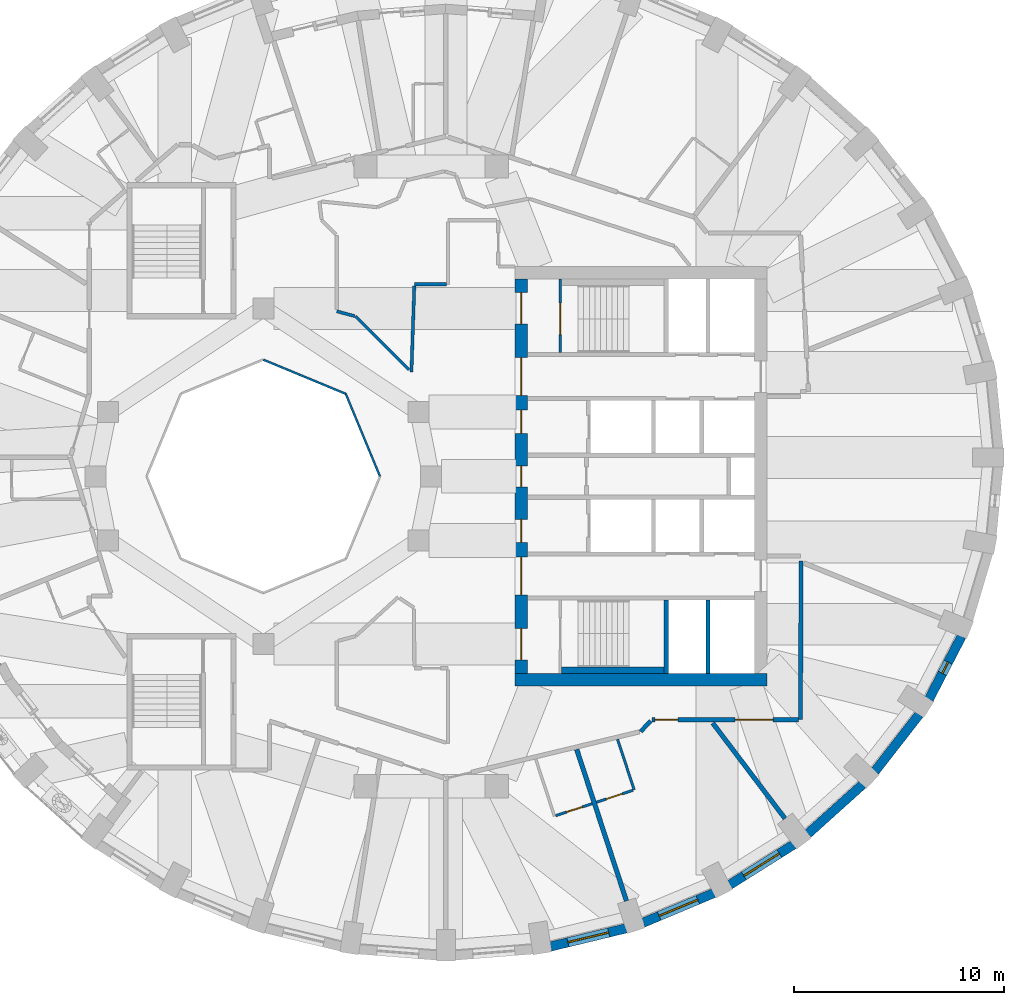
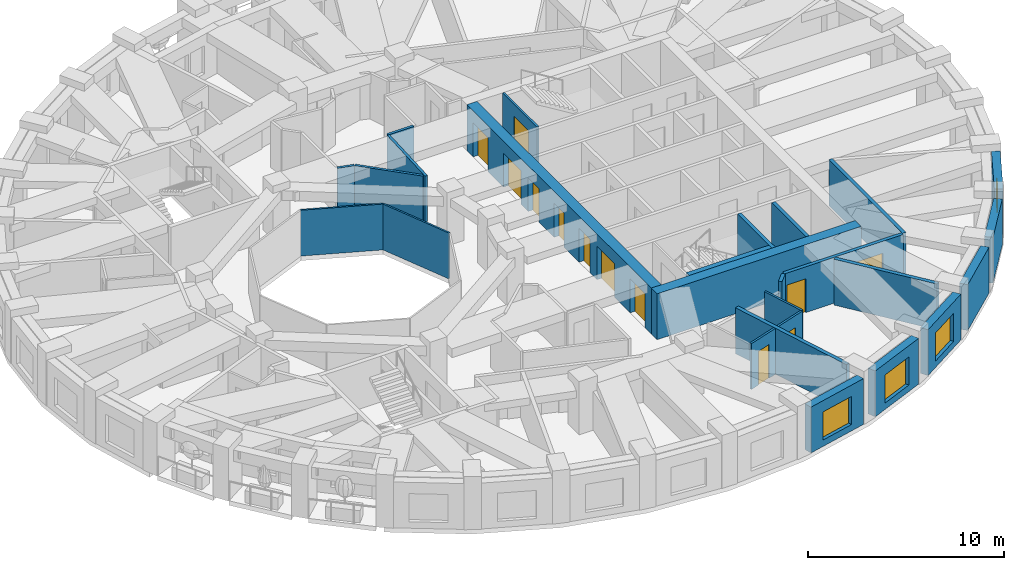
# One storey, part 5 of 12: 26 walls, 12 doors, 4 windows, 16 openings.
"""IFC4 building model written with IfcOpenShell, lengths in metres."""

from ifc_helpers import new_model, si_unit, direction, frame, frame_2d, origin, place, context, subcontext, project, spatial, rectangle, extrude, material, layer, layer_set, type_object, element, fill, save


model = new_model("IFC4")

# Units and contexts
model_context = context("Model", 3, precision=1e-05, world=origin(), true_north=direction((0.0, 1.0)))
body_context = subcontext(model_context, "Body", "Model", "MODEL_VIEW")
ifc_project = project(units=[si_unit("LENGTHUNIT", "METRE"), si_unit("AREAUNIT", "SQUARE_METRE"), si_unit("VOLUMEUNIT", "CUBIC_METRE"), si_unit("PLANEANGLEUNIT", "RADIAN"), si_unit("MASSUNIT", "GRAM", prefix="KILO")], contexts=[model_context])

# Site, building, storey
site_placement = place(None, origin())
site = spatial("IfcSite", under=ifc_project, at=site_placement, CompositionType="ELEMENT")
building_placement = place(site_placement, origin())
building = spatial("IfcBuilding", under=site, at=building_placement, Name="Taillehof Tower", CompositionType="ELEMENT")
storey_placement = place(building_placement, frame((0.0, 0.0, 225.5)))
storey = spatial("IfcBuildingStorey", under=building, at=storey_placement, Name="L64", CompositionType="ELEMENT", Elevation=225.5)

# Walls
ifc_material_1 = material(Name="Fire-resisting glass in steel frame", Category="steel")
ifc_layer_1 = layer(ifc_material_1, 0.10009765625)
ifc_layer_set_1 = layer_set([ifc_layer_1], Name="Atrium fire-resisting screen EI 60 100")
wall_type_1 = type_object("IfcWallType", Name="Atrium fire-resisting screen EI 60 100", PredefinedType="PARTITIONING", material=ifc_layer_set_1)
for number, where, z_axis, x_axis, name in (
    (1, (-8.0, 5.55419921875, 0.0), (0.0, 0.0, 1.0), (0.923860025149, -0.382730523909, 0.0), "Atrium screen"),
    (2, (-4.07275390625, 3.92724609375, 0.0), (0.0, 0.0, 1.0), (0.382730523909, -0.923860025149, 0.0), "Atrium screen"),
):
    element("IfcWall", number, at=place(storey_placement, frame(where, z_axis=z_axis, x_axis=x_axis)), inside=storey, type_object=wall_type_1, Name=name, PredefinedType="PARTITIONING", context=body_context, shape_type="SweptSolid", body=[
        extrude(rectangle(XDim=4.2509765625, YDim=0.10009765625, at=frame_2d((2.12548828125, 0.0))), origin(), (0.0, 0.0, 1.0), 2.85009765625),
    ])

# Wall, opening, window
ifc_material_2 = material(Name="Brick masonry", Category="masonry")
ifc_layer_2 = layer(ifc_material_2, 0.449951171875)
ifc_layer_set_2 = layer_set([ifc_layer_2], Name="Brick infill wall 450")
wall_type_2 = type_object("IfcWallType", Name="Brick infill wall 450", PredefinedType="SOLIDWALL", material=ifc_layer_set_2)
wall_1_placement = place(storey_placement, frame((5.690673828125, -22.41357421875, 0.0), z_axis=(0.0, 0.0, 1.0), x_axis=(0.9721584944, 0.234324266275, 0.0)))
wall_1 = element("IfcWall", 3, at=wall_1_placement, inside=storey, type_object=wall_type_2, Name="Brick wall L64 bay 29", PredefinedType="SOLIDWALL", context=body_context, shape_type="SweptSolid", body=[
    extrude(rectangle(XDim=3.69775390625, YDim=0.449951171875, at=frame_2d((1.848876953125, 0.0))), origin(), (0.0, 0.0, 1.0), 2.85009765625),
])
opening_1_placement = place(wall_1_placement, frame((0.848876953125, 0.0, 0.39990234375)))
opening_1 = element("IfcOpeningElement", 4, at=opening_1_placement, cuts=wall_1, Name="Opening W2", PredefinedType="OPENING", context=body_context, shape_type="SweptSolid", body=[
    extrude(rectangle(XDim=2.0, YDim=1.75, at=frame_2d((1.0, 0.875))), frame((0.0, 0.23486328125, 0.0), z_axis=(0.0, -1.0, 0.0), x_axis=(1.0, 0.0, 0.0)), (0.0, 0.0, 1.0), 0.469970703125),
])
ifc_material_3 = material(Name="Aluminium window frame with clear double glazing", Category="aluminium")
window_type_1 = type_object("IfcWindowType", Name="Deep-set window 2000x1750", PartitioningType="SINGLE_PANEL", PredefinedType="WINDOW", material=ifc_material_3)
window_1_placement = place(opening_1_placement, origin())
window_1 = element("IfcWindow", 5, at=window_1_placement, inside=storey, type_object=window_type_1, Name="W2", OverallHeight=1.75, OverallWidth=2.0, PartitioningType="SINGLE_PANEL", PredefinedType="WINDOW", context=body_context, shape_type="SweptSolid", body=[
    extrude(rectangle(XDim=2.0, YDim=1.75, at=frame_2d((1.0, 0.875))), frame((0.0, 0.034912109375, 0.0), z_axis=(0.0, -1.0, 0.0), x_axis=(1.0, 0.0, 0.0)), (0.0, 0.0, 1.0), 0.06005859375),
])
fill(opening_1, window_1)

wall_2_placement = place(storey_placement, frame((10.1025390625, -21.279052734375, 0.0), z_axis=(0.0, 0.0, 1.0), x_axis=(0.922168222612, 0.386789050006, 0.0)))
wall_2 = element("IfcWall", 6, at=wall_2_placement, inside=storey, type_object=wall_type_2, Name="Brick wall L64 bay 30", PredefinedType="SOLIDWALL", context=body_context, shape_type="SweptSolid", body=[
    extrude(rectangle(XDim=3.65087890625, YDim=0.449951171875, at=frame_2d((1.825439453125, 0.0))), origin(), (0.0, 0.0, 1.0), 2.85009765625),
])
opening_2_placement = place(wall_2_placement, frame((0.825439453125, 0.0, 0.39990234375)))
opening_2 = element("IfcOpeningElement", 7, at=opening_2_placement, cuts=wall_2, Name="Opening W2", PredefinedType="OPENING", context=body_context, shape_type="SweptSolid", body=[
    extrude(rectangle(XDim=2.0, YDim=1.75, at=frame_2d((1.0, 0.875))), frame((0.0, 0.23486328125, 0.0), z_axis=(0.0, -1.0, 0.0), x_axis=(1.0, 0.0, 0.0)), (0.0, 0.0, 1.0), 0.469970703125),
])
window_2_placement = place(opening_2_placement, origin())
window_2 = element("IfcWindow", 8, at=window_2_placement, inside=storey, type_object=window_type_1, Name="W2", OverallHeight=1.75, OverallWidth=2.0, PartitioningType="SINGLE_PANEL", PredefinedType="WINDOW", context=body_context, shape_type="SweptSolid", body=[
    extrude(rectangle(XDim=2.0, YDim=1.75, at=frame_2d((1.0, 0.875))), frame((0.0, 0.034912109375, 0.0), z_axis=(0.0, -1.0, 0.0), x_axis=(1.0, 0.0, 0.0)), (0.0, 0.0, 1.0), 0.06005859375),
])
fill(opening_2, window_2)

wall_3_placement = place(storey_placement, frame((14.232421875, -19.469970703125, 0.0), z_axis=(0.0, 0.0, 1.0), x_axis=(0.84614984472, 0.532945063098, 0.0)))
wall_3 = element("IfcWall", 9, at=wall_3_placement, inside=storey, type_object=wall_type_2, Name="Brick wall L64 bay 31", PredefinedType="SOLIDWALL", context=body_context, shape_type="SweptSolid", body=[
    extrude(rectangle(XDim=3.58642578125, YDim=0.449951171875, at=frame_2d((1.793212890625, 0.0))), origin(), (0.0, 0.0, 1.0), 2.85009765625),
])
opening_3_placement = place(wall_3_placement, frame((0.79345703125, 0.0, 0.39990234375)))
opening_3 = element("IfcOpeningElement", 10, at=opening_3_placement, cuts=wall_3, Name="Opening W2", PredefinedType="OPENING", context=body_context, shape_type="SweptSolid", body=[
    extrude(rectangle(XDim=2.0, YDim=1.75, at=frame_2d((1.0, 0.875))), frame((0.0, 0.23486328125, 0.0), z_axis=(0.0, -1.0, 0.0), x_axis=(1.0, 0.0, 0.0)), (0.0, 0.0, 1.0), 0.469970703125),
])
window_3_placement = place(opening_3_placement, origin())
window_3 = element("IfcWindow", 11, at=window_3_placement, inside=storey, type_object=window_type_1, Name="W2", OverallHeight=1.75, OverallWidth=2.0, PartitioningType="SINGLE_PANEL", PredefinedType="WINDOW", context=body_context, shape_type="SweptSolid", body=[
    extrude(rectangle(XDim=2.0, YDim=1.75, at=frame_2d((1.0, 0.875))), frame((0.0, 0.034912109375, 0.0), z_axis=(0.0, -1.0, 0.0), x_axis=(1.0, 0.0, 0.0)), (0.0, 0.0, 1.0), 0.06005859375),
])
fill(opening_3, window_3)

# Walls
wall_4_placement = place(storey_placement, frame((17.953369140625, -17.039794921875, 0.0), z_axis=(0.0, 0.0, 1.0), x_axis=(0.743442727602, 0.668799604348, 0.0)))
element("IfcWall", 12, at=wall_4_placement, inside=storey, type_object=wall_type_2, Name="Brick wall L64 bay 32", PredefinedType="SOLIDWALL", context=body_context, shape_type="SweptSolid", body=[
    extrude(rectangle(XDim=3.5126953125, YDim=0.449951171875, at=frame_2d((1.75634765625, 0.0))), origin(), (0.0, 0.0, 1.0), 2.85009765625),
])
wall_5_placement = place(storey_placement, frame((21.1513671875, -14.06103515625, 0.0), z_axis=(0.0, 0.0, 1.0), x_axis=(0.614255239631, 0.789107407509, 0.0)))
element("IfcWall", 13, at=wall_5_placement, inside=storey, type_object=wall_type_2, Name="Brick wall L64 bay 33", PredefinedType="SOLIDWALL", context=body_context, shape_type="SweptSolid", body=[
    extrude(rectangle(XDim=3.4375, YDim=0.449951171875, at=frame_2d((1.71875, 0.0))), origin(), (0.0, 0.0, 1.0), 2.85009765625),
])

# Wall, opening, window
wall_6_placement = place(storey_placement, frame((23.72705078125, -10.6240234375, 0.0), z_axis=(0.0, 0.0, 1.0), x_axis=(0.460175500475, 0.887827972505, 0.0)))
wall_6 = element("IfcWall", 14, at=wall_6_placement, inside=storey, type_object=wall_type_2, Name="Brick wall L64 bay 34", PredefinedType="SOLIDWALL", context=body_context, shape_type="SweptSolid", body=[
    extrude(rectangle(XDim=3.37060546875, YDim=0.449951171875, at=frame_2d((1.685302734375, 0.0))), origin(), (0.0, 0.0, 1.0), 2.85009765625),
])
opening_4_placement = place(wall_6_placement, frame((1.38525390625, 0.0, 0.39990234375)))
opening_4 = element("IfcOpeningElement", 15, at=opening_4_placement, cuts=wall_6, Name="Opening W6", PredefinedType="OPENING", context=body_context, shape_type="SweptSolid", body=[
    extrude(rectangle(XDim=0.60009765625, YDim=1.75, at=frame_2d((0.300048828125, 0.875))), frame((0.0, 0.23486328125, 0.0), z_axis=(0.0, -1.0, 0.0), x_axis=(1.0, 0.0, 0.0)), (0.0, 0.0, 1.0), 0.469970703125),
])
ifc_material_4 = material(Name="Aluminium window frame with clear double glazing", Category="aluminium")
window_type_2 = type_object("IfcWindowType", Name="Slot window 600x1750", PartitioningType="SINGLE_PANEL", PredefinedType="WINDOW", material=ifc_material_4)
window_4_placement = place(opening_4_placement, origin())
window_4 = element("IfcWindow", 16, at=window_4_placement, inside=storey, type_object=window_type_2, Name="W6", OverallHeight=1.75, OverallWidth=0.60009765625, PartitioningType="SINGLE_PANEL", PredefinedType="WINDOW", context=body_context, shape_type="SweptSolid", body=[
    extrude(rectangle(XDim=0.60009765625, YDim=1.75, at=frame_2d((0.300048828125, 0.875))), frame((0.0, 0.034912109375, 0.0), z_axis=(0.0, -1.0, 0.0), x_axis=(1.0, 0.0, 0.0)), (0.0, 0.0, 1.0), 0.06005859375),
])
fill(opening_4, window_4)

# Wall
ifc_material_5 = material(Name="Gypsum board on steel studs, two layers each side", Category="steel")
ifc_layer_3 = layer(ifc_material_5, 0.199951171875)
ifc_layer_set_3 = layer_set([ifc_layer_3], Name="Compartment wall corridor 200")
wall_type_3 = type_object("IfcWallType", Name="Compartment wall corridor 200", PredefinedType="PARTITIONING", material=ifc_layer_set_3)
wall_7_placement = place(storey_placement, frame((17.629638671875, -4.042724609375, 0.0), z_axis=(0.0, 0.0, 1.0), x_axis=(-0.003908870153, -0.999992360338, 0.0)))
element("IfcWall", 17, at=wall_7_placement, inside=storey, type_object=wall_type_3, Name="Compartment wall", PredefinedType="PARTITIONING", context=body_context, shape_type="SweptSolid", body=[
    extrude(rectangle(XDim=7.557373046875, YDim=0.199951171875, at=frame_2d((3.77880859375, 0.0))), origin(), (0.0, 0.0, 1.0), 2.85009765625),
])

# Wall, openings, doors
wall_8_placement = place(storey_placement, frame((17.5, -11.60009765625, 0.0), z_axis=(0.0, 0.0, 1.0), x_axis=(-1.0, 0.0, 0.0)))
wall_8 = element("IfcWall", 18, at=wall_8_placement, inside=storey, type_object=wall_type_3, Name="Compartment wall", PredefinedType="PARTITIONING", context=body_context, shape_type="SweptSolid", body=[
    extrude(rectangle(XDim=6.9833984375, YDim=0.199951171875, at=frame_2d((3.49169921875, 0.0))), origin(), (0.0, 0.0, 1.0), 2.85009765625),
])
opening_5_placement = place(wall_8_placement, frame((5.743408203125, 0.0, 0.0)))
opening_5 = element("IfcOpeningElement", 19, at=opening_5_placement, cuts=wall_8, Name="Opening D6463", PredefinedType="OPENING", context=body_context, shape_type="SweptSolid", body=[
    extrude(rectangle(XDim=1.10009765625, YDim=2.10009765625, at=frame_2d((0.550048828125, 1.050048828125))), frame((0.0, 0.10986328125, 0.0), z_axis=(0.0, -1.0, 0.0), x_axis=(1.0, 0.0, 0.0)), (0.0, 0.0, 1.0), 0.219970703125),
])
opening_6_placement = place(wall_8_placement, frame((1.20849609375, 0.0, 0.0)))
opening_6 = element("IfcOpeningElement", 20, at=opening_6_placement, cuts=wall_8, Name="Opening D6465", PredefinedType="OPENING", context=body_context, shape_type="SweptSolid", body=[
    extrude(rectangle(XDim=1.800048828125, YDim=2.10009765625, at=frame_2d((0.89990234375, 1.050048828125))), frame((0.0, 0.10986328125, 0.0), z_axis=(0.0, -1.0, 0.0), x_axis=(1.0, 0.0, 0.0)), (0.0, 0.0, 1.0), 0.219970703125),
])
ifc_material_6 = material(Name="Timber door leaf in steel frame", Category="steel")
door_type_1 = type_object("IfcDoorType", Name="Lounge and meeting room double door EI 30 1800 x 2100", OperationType="SINGLE_SWING_LEFT", PredefinedType="DOOR", material=ifc_material_6)
door_1_placement = place(opening_6_placement, origin())
door_1 = element("IfcDoor", 21, at=door_1_placement, inside=storey, type_object=door_type_1, Name="D6465", OperationType="DOUBLE_DOOR_SINGLE_SWING", OverallHeight=2.10009765625, OverallWidth=1.800048828125, PredefinedType="DOOR", context=body_context, shape_type="SweptSolid", body=[
    extrude(rectangle(XDim=1.800048828125, YDim=2.10009765625, at=frame_2d((0.89990234375, 1.050048828125))), frame((0.0, 0.02490234375, 0.0), z_axis=(0.0, -1.0, 0.0), x_axis=(1.0, 0.0, 0.0)), (0.0, 0.0, 1.0), 0.050048828125),
])
fill(opening_6, door_1)
ifc_material_7 = material(Name="Timber door leaf in steel frame", Category="steel")
door_type_2 = type_object("IfcDoorType", Name="Suite entrance door EI 30 1100 x 2100", OperationType="SINGLE_SWING_LEFT", PredefinedType="DOOR", material=ifc_material_7)
door_2_placement = place(opening_5_placement, origin())
door_2 = element("IfcDoor", 22, at=door_2_placement, inside=storey, type_object=door_type_2, Name="D6463", OperationType="SINGLE_SWING_RIGHT", OverallHeight=2.10009765625, OverallWidth=1.10009765625, PredefinedType="DOOR", context=body_context, shape_type="SweptSolid", body=[
    extrude(rectangle(XDim=1.10009765625, YDim=2.10009765625, at=frame_2d((0.550048828125, 1.050048828125))), frame((0.0, 0.02490234375, 0.0), z_axis=(0.0, -1.0, 0.0), x_axis=(1.0, 0.0, 0.0)), (0.0, 0.0, 1.0), 0.050048828125),
])
fill(opening_5, door_2)

# Walls
wall_9_placement = place(storey_placement, frame((10.4619140625, -11.65869140625, 0.0), z_axis=(0.0, 0.0, 1.0), x_axis=(-0.686265612426, -0.727351021998, 0.0)))
element("IfcWall", 23, at=wall_9_placement, inside=storey, type_object=wall_type_3, Name="Compartment wall", PredefinedType="PARTITIONING", context=body_context, shape_type="SweptSolid", body=[
    extrude(rectangle(XDim=0.701171875, YDim=0.199951171875, at=frame_2d((0.3505859375, 0.0))), origin(), (0.0, 0.0, 1.0), 2.85009765625),
])
ifc_material_8 = material(Name="Gypsum board on double steel studs with mineral wool", Category="steel")
ifc_layer_4 = layer(ifc_material_8, 0.219970703125)
ifc_layer_set_4 = layer_set([ifc_layer_4], Name="Compartment wall guest room 220")
wall_type_4 = type_object("IfcWallType", Name="Compartment wall guest room 220", PredefinedType="PARTITIONING", material=ifc_layer_set_4)
wall_10_placement = place(storey_placement, frame((9.30712890625, -20.2353515625, 0.0), z_axis=(0.0, 0.0, 1.0), x_axis=(-0.311979110549, 0.950088961404, 0.0)))
element("IfcWall", 24, at=wall_10_placement, inside=storey, type_object=wall_type_4, Name="Compartment wall", PredefinedType="PARTITIONING", context=body_context, shape_type="SweptSolid", body=[
    extrude(rectangle(XDim=7.5908203125, YDim=0.219970703125, at=frame_2d((3.79541015625, 0.0))), origin(), (0.0, 0.0, 1.0), 2.85009765625),
])
wall_11_placement = place(storey_placement, frame((16.86328125, -16.3125, 0.0), z_axis=(0.0, 0.0, 1.0), x_axis=(-0.603636051313, 0.797260006243, 0.0)))
element("IfcWall", 25, at=wall_11_placement, inside=storey, type_object=wall_type_4, Name="Compartment wall", PredefinedType="PARTITIONING", context=body_context, shape_type="SweptSolid", body=[
    extrude(rectangle(XDim=5.70556640625, YDim=0.219970703125, at=frame_2d((2.852783203125, 0.0))), origin(), (0.0, 0.0, 1.0), 2.85009765625),
])
ifc_material_9 = material(Name="Calcium silicate masonry", Category="masonry")
ifc_layer_5 = layer(ifc_material_9, 0.300048828125)
ifc_layer_set_5 = layer_set([ifc_layer_5], Name="Compartment wall lining calcium silicate 300")
wall_type_5 = type_object("IfcWallType", Name="Compartment wall lining calcium silicate 300", PredefinedType="PARTITIONING", material=ifc_layer_set_5)
wall_12_placement = place(storey_placement, frame((6.219970703125, -9.25, 0.0), z_axis=(0.0, 0.0, 1.0), x_axis=(1.0, 0.0, 0.0)))
element("IfcWall", 26, at=wall_12_placement, inside=storey, type_object=wall_type_5, Name="Compartment wall FW", PredefinedType="PARTITIONING", context=body_context, shape_type="SweptSolid", body=[
    extrude(rectangle(XDim=4.880126953125, YDim=0.300048828125, at=frame_2d((2.43994140625, 0.0))), origin(), (0.0, 0.0, 1.0), 2.85009765625),
])
ifc_material_10 = material(Name="Gypsum board on steel studs, two layers each side", Category="steel")
ifc_layer_6 = layer(ifc_material_10, 0.14990234375)
ifc_layer_set_6 = layer_set([ifc_layer_6], Name="Compartment wall service room 150")
wall_type_6 = type_object("IfcWallType", Name="Compartment wall service room 150", PredefinedType="PARTITIONING", material=ifc_layer_set_6)
wall_13_placement = place(storey_placement, frame((0.719970703125, 9.14990234375, 0.0), z_axis=(0.0, 0.0, 1.0), x_axis=(-1.0, 0.0, 0.0)))
element("IfcWall", 27, at=wall_13_placement, inside=storey, type_object=wall_type_6, Name="Compartment wall", PredefinedType="PARTITIONING", context=body_context, shape_type="SweptSolid", body=[
    extrude(rectangle(XDim=1.52001953125, YDim=0.14990234375, at=frame_2d((0.760009765625, 0.0))), origin(), (0.0, 0.0, 1.0), 2.85009765625),
])
wall_14_placement = place(storey_placement, frame((-0.802978515625, 9.06982421875, 0.0), z_axis=(0.0, 0.0, 1.0), x_axis=(-0.033496761224, -0.999438826036, 0.0)))
element("IfcWall", 28, at=wall_14_placement, inside=storey, type_object=wall_type_6, Name="Compartment wall", PredefinedType="PARTITIONING", context=body_context, shape_type="SweptSolid", body=[
    extrude(rectangle(XDim=4.110595703125, YDim=0.14990234375, at=frame_2d((2.05517578125, 0.0))), origin(), (0.0, 0.0, 1.0), 2.85009765625),
])
wall_15_placement = place(storey_placement, frame((-1.053955078125, 5.07470703125, 0.0), z_axis=(0.0, 0.0, 1.0), x_axis=(-0.707106781187, 0.707106781187, 0.0)))
element("IfcWall", 29, at=wall_15_placement, inside=storey, type_object=wall_type_6, Name="Compartment wall", PredefinedType="PARTITIONING", context=body_context, shape_type="SweptSolid", body=[
    extrude(rectangle(XDim=3.600830078125, YDim=0.14990234375, at=frame_2d((1.80029296875, 0.0))), origin(), (0.0, 0.0, 1.0), 2.85009765625),
])
wall_16_placement = place(storey_placement, frame((-3.638671875, 7.631103515625, 0.0), z_axis=(0.0, 0.0, 1.0), x_axis=(-0.965879594242, 0.258991523853, 0.0)))
element("IfcWall", 30, at=wall_16_placement, inside=storey, type_object=wall_type_6, Name="Compartment wall", PredefinedType="PARTITIONING", context=body_context, shape_type="SweptSolid", body=[
    extrude(rectangle(XDim=0.891845703125, YDim=0.14990234375, at=frame_2d((0.44580078125, 0.0))), origin(), (0.0, 0.0, 1.0), 2.85009765625),
])

# Wall, openings, doors
ifc_material_11 = material(Name="Concrete C80/95", Category="concrete")
ifc_layer_7 = layer(ifc_material_11, 0.60009765625)
ifc_layer_set_7 = layer_set([ifc_layer_7], Name="Core wall C80/95 600")
wall_type_7 = type_object("IfcWallType", Name="Core wall C80/95 600", PredefinedType="SHEAR", material=ifc_layer_set_7)
wall_17_placement = place(storey_placement, frame((4.300048828125, -9.39990234375, 0.0), z_axis=(0.0, 0.0, 1.0), x_axis=(0.0, 1.0, 0.0)))
wall_17 = element("IfcWall", 31, at=wall_17_placement, inside=storey, type_object=wall_type_7, Name="Core wall CW01", PredefinedType="SHEAR", context=body_context, shape_type="SweptSolid", body=[
    extrude(rectangle(XDim=18.7998046875, YDim=0.60009765625, at=frame_2d((9.39990234375, 0.0))), origin(), (0.0, 0.0, 1.0), 2.85009765625),
])
opening_7_placement = place(wall_17_placement, frame((0.64990234375, 0.0, 0.0)))
opening_7 = element("IfcOpeningElement", 32, at=opening_7_placement, cuts=wall_17, Name="Opening D6401", PredefinedType="OPENING", context=body_context, shape_type="SweptSolid", body=[
    extrude(rectangle(XDim=1.5, YDim=2.10009765625, at=frame_2d((0.75, 1.050048828125))), frame((0.0, 0.31005859375, 0.0), z_axis=(0.0, -1.0, 0.0), x_axis=(1.0, 0.0, 0.0)), (0.0, 0.0, 1.0), 0.6201171875),
])
opening_8_placement = place(wall_17_placement, frame((3.75, 0.0, 0.0)))
opening_8 = element("IfcOpeningElement", 33, at=opening_8_placement, cuts=wall_17, Name="Opening D6402", PredefinedType="OPENING", context=body_context, shape_type="SweptSolid", body=[
    extrude(rectangle(XDim=1.800048828125, YDim=2.10009765625, at=frame_2d((0.89990234375, 1.050048828125))), frame((0.0, 0.31005859375, 0.0), z_axis=(0.0, -1.0, 0.0), x_axis=(1.0, 0.0, 0.0)), (0.0, 0.0, 1.0), 0.6201171875),
])
opening_9_placement = place(wall_17_placement, frame((6.25, 0.0, 0.0)))
opening_9 = element("IfcOpeningElement", 34, at=opening_9_placement, cuts=wall_17, Name="Opening D6403", PredefinedType="OPENING", context=body_context, shape_type="SweptSolid", body=[
    extrude(rectangle(XDim=1.10009765625, YDim=2.10009765625, at=frame_2d((0.550048828125, 1.050048828125))), frame((0.0, 0.31005859375, 0.0), z_axis=(0.0, -1.0, 0.0), x_axis=(1.0, 0.0, 0.0)), (0.0, 0.0, 1.0), 0.6201171875),
])
opening_10_placement = place(wall_17_placement, frame((8.89990234375, 0.0, 0.0)))
opening_10 = element("IfcOpeningElement", 35, at=opening_10_placement, cuts=wall_17, Name="Opening D6404", PredefinedType="OPENING", context=body_context, shape_type="SweptSolid", body=[
    extrude(rectangle(XDim=1.0, YDim=2.10009765625, at=frame_2d((0.5, 1.050048828125))), frame((0.0, 0.31005859375, 0.0), z_axis=(0.0, -1.0, 0.0), x_axis=(1.0, 0.0, 0.0)), (0.0, 0.0, 1.0), 0.6201171875),
])
opening_11_placement = place(wall_17_placement, frame((11.449951171875, 0.0, 0.0)))
opening_11 = element("IfcOpeningElement", 36, at=opening_11_placement, cuts=wall_17, Name="Opening D6405", PredefinedType="OPENING", context=body_context, shape_type="SweptSolid", body=[
    extrude(rectangle(XDim=1.10009765625, YDim=2.10009765625, at=frame_2d((0.550048828125, 1.050048828125))), frame((0.0, 0.31005859375, 0.0), z_axis=(0.0, -1.0, 0.0), x_axis=(1.0, 0.0, 0.0)), (0.0, 0.0, 1.0), 0.6201171875),
])
opening_12_placement = place(wall_17_placement, frame((13.25, 0.0, 0.0)))
opening_12 = element("IfcOpeningElement", 37, at=opening_12_placement, cuts=wall_17, Name="Opening D6406", PredefinedType="OPENING", context=body_context, shape_type="SweptSolid", body=[
    extrude(rectangle(XDim=1.800048828125, YDim=2.10009765625, at=frame_2d((0.89990234375, 1.050048828125))), frame((0.0, 0.31005859375, 0.0), z_axis=(0.0, -1.0, 0.0), x_axis=(1.0, 0.0, 0.0)), (0.0, 0.0, 1.0), 0.6201171875),
])
opening_13_placement = place(wall_17_placement, frame((16.64990234375, 0.0, 0.0)))
opening_13 = element("IfcOpeningElement", 38, at=opening_13_placement, cuts=wall_17, Name="Opening D6407", PredefinedType="OPENING", context=body_context, shape_type="SweptSolid", body=[
    extrude(rectangle(XDim=1.5, YDim=2.10009765625, at=frame_2d((0.75, 1.050048828125))), frame((0.0, 0.31005859375, 0.0), z_axis=(0.0, -1.0, 0.0), x_axis=(1.0, 0.0, 0.0)), (0.0, 0.0, 1.0), 0.6201171875),
])
ifc_material_12 = material(Name="Steel-faced fire door", Category="steel")
door_type_3 = type_object("IfcDoorType", Name="Firefighting lobby door 1100x2100", OperationType="SINGLE_SWING_RIGHT", PredefinedType="DOOR", material=ifc_material_12)
door_3_placement = place(opening_9_placement, origin())
door_3 = element("IfcDoor", 39, at=door_3_placement, inside=storey, type_object=door_type_3, Name="Firefighting lobby door FFL-S", OperationType="SINGLE_SWING_RIGHT", OverallHeight=2.10009765625, OverallWidth=1.10009765625, PredefinedType="DOOR", context=body_context, shape_type="SweptSolid", body=[
    extrude(rectangle(XDim=1.10009765625, YDim=2.10009765625, at=frame_2d((0.550048828125, 1.050048828125))), frame((0.0, 0.02490234375, 0.0), z_axis=(0.0, -1.0, 0.0), x_axis=(1.0, 0.0, 0.0)), (0.0, 0.0, 1.0), 0.050048828125),
])
fill(opening_9, door_3)
door_4_placement = place(opening_11_placement, origin())
door_4 = element("IfcDoor", 40, at=door_4_placement, inside=storey, type_object=door_type_3, Name="Firefighting lobby door FFL-N", OperationType="SINGLE_SWING_LEFT", OverallHeight=2.10009765625, OverallWidth=1.10009765625, PredefinedType="DOOR", context=body_context, shape_type="SweptSolid", body=[
    extrude(rectangle(XDim=1.10009765625, YDim=2.10009765625, at=frame_2d((0.550048828125, 1.050048828125))), frame((0.0, 0.02490234375, 0.0), z_axis=(0.0, -1.0, 0.0), x_axis=(1.0, 0.0, 0.0)), (0.0, 0.0, 1.0), 0.050048828125),
])
fill(opening_11, door_4)
ifc_material_13 = material(Name="Steel-faced fire door", Category="steel")
door_type_4 = type_object("IfcDoorType", Name="Lift lobby door 1800x2100", OperationType="DOUBLE_DOOR_SINGLE_SWING", PredefinedType="DOOR", material=ifc_material_13)
door_5_placement = place(opening_8_placement, origin())
door_5 = element("IfcDoor", 41, at=door_5_placement, inside=storey, type_object=door_type_4, Name="Lift lobby door LL-S", OperationType="DOUBLE_DOOR_SINGLE_SWING", OverallHeight=2.10009765625, OverallWidth=1.800048828125, PredefinedType="DOOR", context=body_context, shape_type="SweptSolid", body=[
    extrude(rectangle(XDim=1.800048828125, YDim=2.10009765625, at=frame_2d((0.89990234375, 1.050048828125))), frame((0.0, 0.02490234375, 0.0), z_axis=(0.0, -1.0, 0.0), x_axis=(1.0, 0.0, 0.0)), (0.0, 0.0, 1.0), 0.050048828125),
])
fill(opening_8, door_5)
door_6_placement = place(opening_12_placement, origin())
door_6 = element("IfcDoor", 42, at=door_6_placement, inside=storey, type_object=door_type_4, Name="Lift lobby door LL-N", OperationType="DOUBLE_DOOR_SINGLE_SWING", OverallHeight=2.10009765625, OverallWidth=1.800048828125, PredefinedType="DOOR", context=body_context, shape_type="SweptSolid", body=[
    extrude(rectangle(XDim=1.800048828125, YDim=2.10009765625, at=frame_2d((0.89990234375, 1.050048828125))), frame((0.0, 0.02490234375, 0.0), z_axis=(0.0, -1.0, 0.0), x_axis=(1.0, 0.0, 0.0)), (0.0, 0.0, 1.0), 0.050048828125),
])
fill(opening_12, door_6)
ifc_material_14 = material(Name="Steel-faced fire door", Category="steel")
door_type_5 = type_object("IfcDoorType", Name="Service door 1000x2100", OperationType="SINGLE_SWING_RIGHT", PredefinedType="DOOR", material=ifc_material_14)
door_7_placement = place(opening_10_placement, origin())
door_7 = element("IfcDoor", 43, at=door_7_placement, inside=storey, type_object=door_type_5, Name="Service door SV", OperationType="SINGLE_SWING_RIGHT", OverallHeight=2.10009765625, OverallWidth=1.0, PredefinedType="DOOR", context=body_context, shape_type="SweptSolid", body=[
    extrude(rectangle(XDim=1.0, YDim=2.10009765625, at=frame_2d((0.5, 1.050048828125))), frame((0.0, 0.02490234375, 0.0), z_axis=(0.0, -1.0, 0.0), x_axis=(1.0, 0.0, 0.0)), (0.0, 0.0, 1.0), 0.050048828125),
])
fill(opening_10, door_7)
ifc_material_15 = material(Name="Steel-faced fire door", Category="steel")
door_type_6 = type_object("IfcDoorType", Name="Stair door 1500x2100", OperationType="DOUBLE_DOOR_SINGLE_SWING", PredefinedType="DOOR", material=ifc_material_15)
door_8_placement = place(opening_7_placement, origin())
door_8 = element("IfcDoor", 44, at=door_8_placement, inside=storey, type_object=door_type_6, Name="Stair door S2", OperationType="DOUBLE_DOOR_SINGLE_SWING", OverallHeight=2.10009765625, OverallWidth=1.5, PredefinedType="DOOR", context=body_context, shape_type="SweptSolid", body=[
    extrude(rectangle(XDim=1.5, YDim=2.10009765625, at=frame_2d((0.75, 1.050048828125))), frame((0.0, 0.02490234375, 0.0), z_axis=(0.0, -1.0, 0.0), x_axis=(1.0, 0.0, 0.0)), (0.0, 0.0, 1.0), 0.050048828125),
])
fill(opening_7, door_8)
door_9_placement = place(opening_13_placement, origin())
door_9 = element("IfcDoor", 45, at=door_9_placement, inside=storey, type_object=door_type_6, Name="Stair door S1", OperationType="DOUBLE_DOOR_SINGLE_SWING", OverallHeight=2.10009765625, OverallWidth=1.5, PredefinedType="DOOR", context=body_context, shape_type="SweptSolid", body=[
    extrude(rectangle(XDim=1.5, YDim=2.10009765625, at=frame_2d((0.75, 1.050048828125))), frame((0.0, 0.02490234375, 0.0), z_axis=(0.0, -1.0, 0.0), x_axis=(1.0, 0.0, 0.0)), (0.0, 0.0, 1.0), 0.050048828125),
])
fill(opening_13, door_9)

# Walls
wall_18_placement = place(storey_placement, frame((4.0, -9.699951171875, 0.0), z_axis=(0.0, 0.0, 1.0), x_axis=(1.0, 0.0, 0.0)))
element("IfcWall", 46, at=wall_18_placement, inside=storey, type_object=wall_type_7, Name="Core wall CW07", PredefinedType="SHEAR", context=body_context, shape_type="SweptSolid", body=[
    extrude(rectangle(XDim=12.0, YDim=0.60009765625, at=frame_2d((6.0, 0.0))), origin(), (0.0, 0.0, 1.0), 2.85009765625),
])
ifc_material_16 = material(Name="Gypsum board on steel studs, moisture resistant", Category="steel")
ifc_layer_8 = layer(ifc_material_16, 0.1201171875)
ifc_layer_set_8 = layer_set([ifc_layer_8], Name="En-suite wall 120")
wall_type_8 = type_object("IfcWallType", Name="En-suite wall 120", PredefinedType="PARTITIONING", material=ifc_layer_set_8)
wall_19_placement = place(storey_placement, frame((8.883544921875, -12.535400390625, 0.0), z_axis=(0.0, 0.0, 1.0), x_axis=(0.312037873477, -0.950069663507, 0.0)))
element("IfcWall", 47, at=wall_19_placement, inside=storey, type_object=wall_type_8, Name="En-suite wall", PredefinedType="PARTITIONING", context=body_context, shape_type="SweptSolid", body=[
    extrude(rectangle(XDim=2.53662109375, YDim=0.1201171875, at=frame_2d((1.268310546875, 0.0))), origin(), (0.0, 0.0, 1.0), 2.85009765625),
])

# Wall, opening, door
wall_20_placement = place(storey_placement, frame((5.931884765625, -16.17431640625, 0.0), z_axis=(0.0, 0.0, 1.0), x_axis=(0.950140787885, 0.311821235962, 0.0)))
wall_20 = element("IfcWall", 48, at=wall_20_placement, inside=storey, type_object=wall_type_8, Name="En-suite wall", PredefinedType="PARTITIONING", context=body_context, shape_type="SweptSolid", body=[
    extrude(rectangle(XDim=1.829833984375, YDim=0.1201171875, at=frame_2d((0.9150390625, 0.0))), origin(), (0.0, 0.0, 1.0), 2.85009765625),
])
opening_14_placement = place(wall_20_placement, frame((0.539794921875, 0.0, 0.0)))
opening_14 = element("IfcOpeningElement", 49, at=opening_14_placement, cuts=wall_20, Name="Opening D6462", PredefinedType="OPENING", context=body_context, shape_type="SweptSolid", body=[
    extrude(rectangle(XDim=0.800048828125, YDim=2.10009765625, at=frame_2d((0.39990234375, 1.050048828125))), frame((0.0, 0.070068359375, 0.0), z_axis=(0.0, -1.0, 0.0), x_axis=(1.0, 0.0, 0.0)), (0.0, 0.0, 1.0), 0.14013671875),
])
ifc_material_17 = material(Name="Timber door leaf in steel frame", Category="steel")
door_type_7 = type_object("IfcDoorType", Name="En-suite door 800 x 2100", OperationType="SINGLE_SWING_LEFT", PredefinedType="DOOR", material=ifc_material_17)
door_10_placement = place(opening_14_placement, origin())
door_10 = element("IfcDoor", 50, at=door_10_placement, inside=storey, type_object=door_type_7, Name="D6462", OperationType="SINGLE_SWING_RIGHT", OverallHeight=2.10009765625, OverallWidth=0.800048828125, PredefinedType="DOOR", context=body_context, shape_type="SweptSolid", body=[
    extrude(rectangle(XDim=0.800048828125, YDim=2.10009765625, at=frame_2d((0.39990234375, 1.050048828125))), frame((0.0, 0.02490234375, 0.0), z_axis=(0.0, -1.0, 0.0), x_axis=(1.0, 0.0, 0.0)), (0.0, 0.0, 1.0), 0.050048828125),
])
fill(opening_14, door_10)

wall_21_placement = place(storey_placement, frame((9.617919921875, -14.96435546875, 0.0), z_axis=(0.0, 0.0, 1.0), x_axis=(-0.950140787885, -0.311821235962, 0.0)))
wall_21 = element("IfcWall", 51, at=wall_21_placement, inside=storey, type_object=wall_type_8, Name="En-suite wall", PredefinedType="PARTITIONING", context=body_context, shape_type="SweptSolid", body=[
    extrude(rectangle(XDim=1.829833984375, YDim=0.1201171875, at=frame_2d((0.9150390625, 0.0))), origin(), (0.0, 0.0, 1.0), 2.85009765625),
])
opening_15_placement = place(wall_21_placement, frame((0.539794921875, 0.0, 0.0)))
opening_15 = element("IfcOpeningElement", 52, at=opening_15_placement, cuts=wall_21, Name="Opening D6464", PredefinedType="OPENING", context=body_context, shape_type="SweptSolid", body=[
    extrude(rectangle(XDim=0.800048828125, YDim=2.10009765625, at=frame_2d((0.39990234375, 1.050048828125))), frame((0.0, 0.070068359375, 0.0), z_axis=(0.0, -1.0, 0.0), x_axis=(1.0, 0.0, 0.0)), (0.0, 0.0, 1.0), 0.14013671875),
])
door_11_placement = place(opening_15_placement, origin())
door_11 = element("IfcDoor", 53, at=door_11_placement, inside=storey, type_object=door_type_7, Name="D6464", OperationType="SINGLE_SWING_LEFT", OverallHeight=2.10009765625, OverallWidth=0.800048828125, PredefinedType="DOOR", context=body_context, shape_type="SweptSolid", body=[
    extrude(rectangle(XDim=0.800048828125, YDim=2.10009765625, at=frame_2d((0.39990234375, 1.050048828125))), frame((0.0, 0.02490234375, 0.0), z_axis=(0.0, -1.0, 0.0), x_axis=(1.0, 0.0, 0.0)), (0.0, 0.0, 1.0), 0.050048828125),
])
fill(opening_15, door_11)

# Walls
ifc_material_18 = material(Name="Concrete C50/60", Category="concrete")
ifc_layer_9 = layer(ifc_material_18, 0.199951171875)
ifc_layer_set_9 = layer_set([ifc_layer_9], Name="Shaft wall C50/60 200")
wall_type_9 = type_object("IfcWallType", Name="Shaft wall C50/60 200", PredefinedType="SHEAR", material=ifc_layer_set_9)
for number, where, z_axis, x_axis, name in (
    (54, (11.199951171875, -9.39990234375, 0.0), (0.0, 0.0, 1.0), (0.0, 1.0, 0.0), "Shaft wall SW"),
    (55, (13.199951171875, -9.39990234375, 0.0), (0.0, 0.0, 1.0), (0.0, 1.0, 0.0), "Shaft wall SW"),
):
    element("IfcWall", number, at=place(storey_placement, frame(where, z_axis=z_axis, x_axis=x_axis)), inside=storey, type_object=wall_type_9, Name=name, PredefinedType="SHEAR", context=body_context, shape_type="SweptSolid", body=[
        extrude(rectangle(XDim=3.5, YDim=0.199951171875, at=frame_2d((1.75, 0.0))), origin(), (0.0, 0.0, 1.0), 2.85009765625),
    ])

# Wall, opening, door
ifc_material_19 = material(Name="Concrete C50/60", Category="concrete")
ifc_layer_10 = layer(ifc_material_19, 0.1201171875)
ifc_layer_set_10 = layer_set([ifc_layer_10], Name="Stair lobby wall C50/60 120")
wall_type_10 = type_object("IfcWallType", Name="Stair lobby wall C50/60 120", PredefinedType="SHEAR", material=ifc_layer_set_10)
wall_22_placement = place(storey_placement, frame((6.159912109375, 5.89990234375, 0.0), z_axis=(0.0, 0.0, 1.0), x_axis=(0.0, 1.0, 0.0)))
wall_22 = element("IfcWall", 56, at=wall_22_placement, inside=storey, type_object=wall_type_10, Name="Compartment wall SW", PredefinedType="SHEAR", context=body_context, shape_type="SweptSolid", body=[
    extrude(rectangle(XDim=3.5, YDim=0.1201171875, at=frame_2d((1.75, 0.0))), origin(), (0.0, 0.0, 1.0), 2.85009765625),
])
opening_16_placement = place(wall_22_placement, frame((0.85009765625, 0.0, 0.0)))
opening_16 = element("IfcOpeningElement", 57, at=opening_16_placement, cuts=wall_22, Name="Opening D6410", PredefinedType="OPENING", context=body_context, shape_type="SweptSolid", body=[
    extrude(rectangle(XDim=1.5, YDim=2.10009765625, at=frame_2d((0.75, 1.050048828125))), frame((0.0, 0.070068359375, 0.0), z_axis=(0.0, -1.0, 0.0), x_axis=(1.0, 0.0, 0.0)), (0.0, 0.0, 1.0), 0.14013671875),
])
door_12_placement = place(opening_16_placement, origin())
door_12 = element("IfcDoor", 58, at=door_12_placement, inside=storey, type_object=door_type_6, Name="Stair lobby door S1", OperationType="DOUBLE_DOOR_SINGLE_SWING", OverallHeight=2.10009765625, OverallWidth=1.5, PredefinedType="DOOR", context=body_context, shape_type="SweptSolid", body=[
    extrude(rectangle(XDim=1.5, YDim=2.10009765625, at=frame_2d((0.75, 1.050048828125))), frame((0.0, 0.02490234375, 0.0), z_axis=(0.0, -1.0, 0.0), x_axis=(1.0, 0.0, 0.0)), (0.0, 0.0, 1.0), 0.050048828125),
])
fill(opening_16, door_12)

save(model, "model.ifc")
